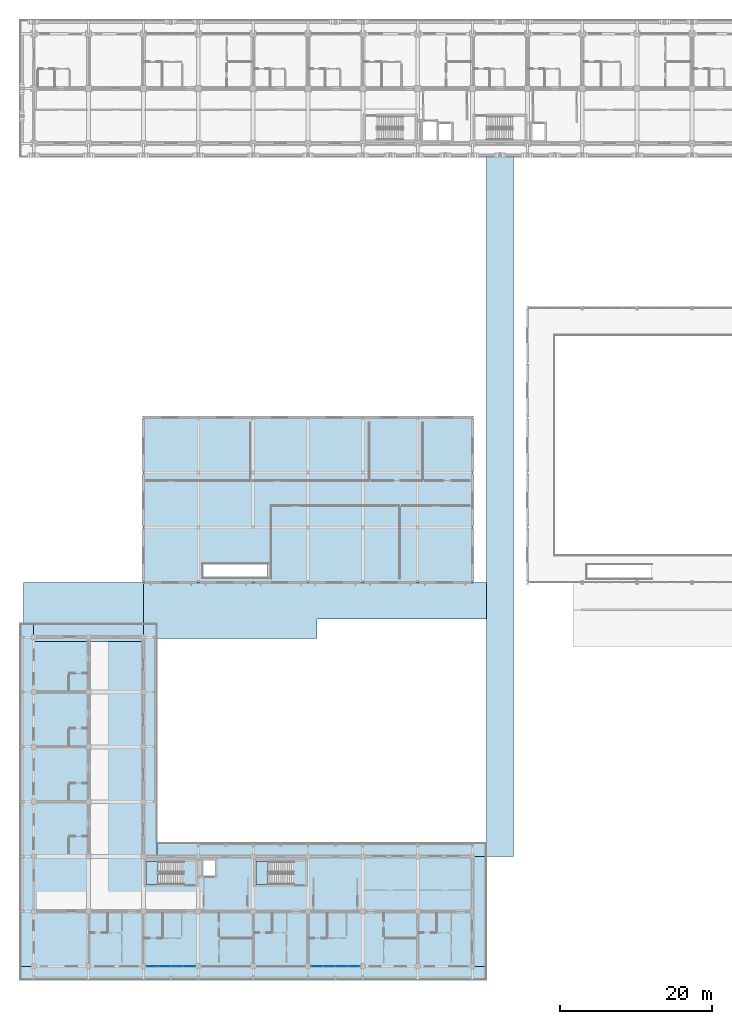
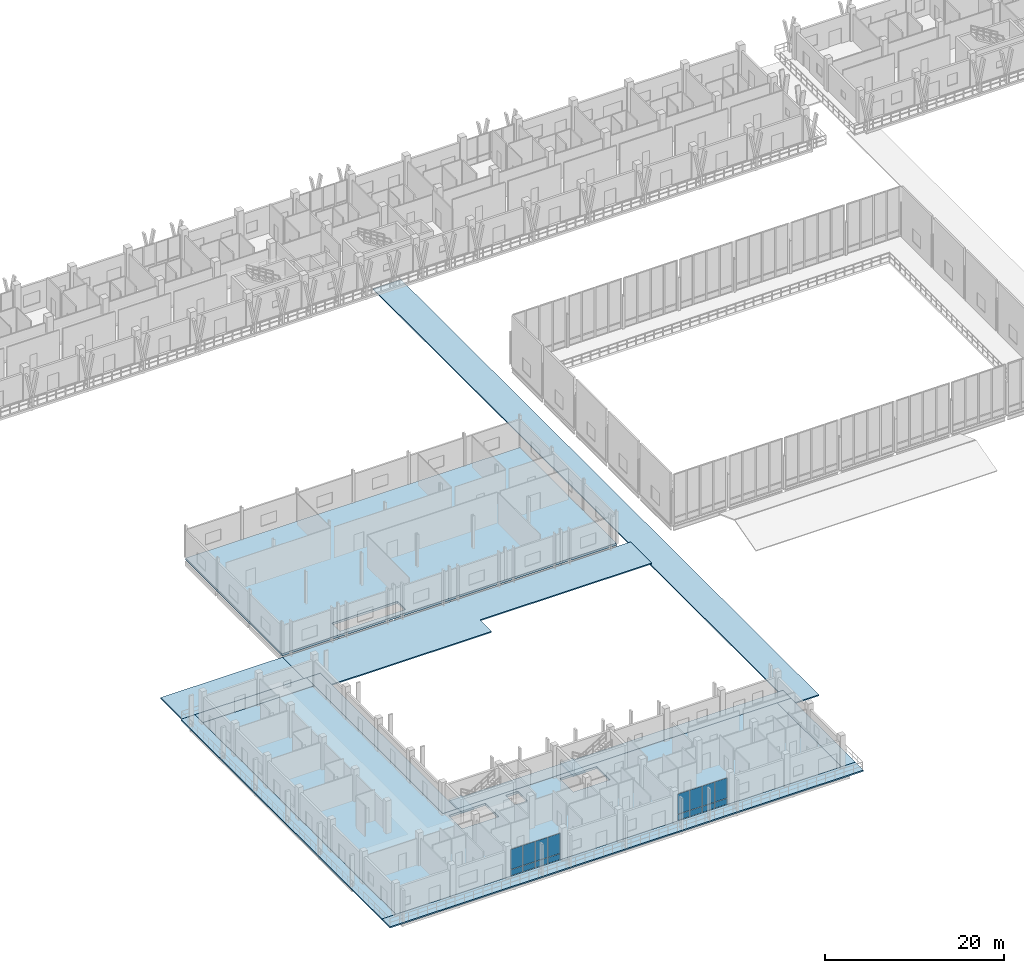
# One storey, part 56 of 110: 16 plates, 13 slabs, 4 elements without a shape of their own.
"""IFC4 building model written with IfcOpenShell, lengths in metres."""

from ifc_helpers import new_model, si_unit, direction, frame, origin, origin_2d, place, context, subcontext, project, spatial, polyline, rectangle, outline, extrude, material, layer, layer_set, type_object, element, aggregate, save


model = new_model("IFC4")

# Units and contexts
model_context = context("Model", 3, precision=1e-05, world=origin(), true_north=direction((0.0, 1.0)))
body_context = subcontext(model_context, "Body", "Model", "MODEL_VIEW")
ifc_project = project(units=[si_unit("LENGTHUNIT", "METRE"), si_unit("AREAUNIT", "SQUARE_METRE"), si_unit("VOLUMEUNIT", "CUBIC_METRE"), si_unit("PLANEANGLEUNIT", "RADIAN"), si_unit("MASSUNIT", "GRAM", prefix="KILO")], contexts=[model_context])

# Site, building, storey
site_placement = place(None, origin())
site = spatial("IfcSite", under=ifc_project, at=site_placement, CompositionType="ELEMENT")
building_placement = place(site_placement, origin())
building = spatial("IfcBuilding", under=site, at=building_placement, Name="Suanplinth Sawtooth Commons", CompositionType="ELEMENT")
storey_placement = place(building_placement, frame((0.0, 0.0, 4.5)))
storey = spatial("IfcBuildingStorey", under=building, at=storey_placement, Name="L01", CompositionType="ELEMENT", Elevation=4.5)

# Curtain wall, plates
ifc_material_1 = material(Name="Anodized aluminium and low-E glazing", Category="aluminium")
curtain_wall_type = type_object("IfcCurtainWallType", Name="CW-06", PredefinedType="USERDEFINED", material=ifc_material_1)
curtain_wall_1_placement = place(storey_placement, origin())
curtain_wall_1 = element("IfcCurtainWall", 1, at=curtain_wall_1_placement, inside=storey, type_object=curtain_wall_type, Name="Curtain Wall CW-L01-D-LOUNGE-2", ObjectType="CURTAIN WALL", PredefinedType="USERDEFINED")
ifc_material_2 = material(Name="Tempered low-E double glazing", Category="glass")
ifc_layer_1 = layer(ifc_material_2, 0.028076171875, Name="Vision low-E insulated glazing unit 28mm")
ifc_layer_set_1 = layer_set([ifc_layer_1], Name="Tempered low-E double glazing")
plate_type = type_object("IfcPlateType", Name="PL-05", PredefinedType="CURTAIN_PANEL", material=ifc_layer_set_1)
plate_1_placement = place(storey_placement, frame((15.578857421875, 0.0, 0.06494140625), z_axis=(0.0, 0.0, 1.0), x_axis=(1.0, 0.0, 0.0)))
plate_1 = element("IfcPlate", 2, at=plate_1_placement, type_object=plate_type, Name="CW-06 panel 1.1", PredefinedType="CURTAIN_PANEL", context=body_context, shape_type="SweptSolid", body=[
    extrude(rectangle(XDim=1.527587890625, YDim=0.028076171875, at=origin_2d()), origin(), (0.0, 0.0, 1.0), 0.802490234375),
])
plate_2_placement = place(storey_placement, frame((15.578857421875, 0.0, 0.9326171875), z_axis=(0.0, 0.0, 1.0), x_axis=(1.0, 0.0, 0.0)))
plate_2 = element("IfcPlate", 3, at=plate_2_placement, type_object=plate_type, Name="CW-06 panel 1.2", PredefinedType="CURTAIN_PANEL", context=body_context, shape_type="SweptSolid", body=[
    extrude(rectangle(XDim=1.527587890625, YDim=0.028076171875, at=origin_2d()), origin(), (0.0, 0.0, 1.0), 2.732421875),
])
plate_3_placement = place(storey_placement, frame((17.1875, 0.0, 0.06494140625), z_axis=(0.0, 0.0, 1.0), x_axis=(1.0, 0.0, 0.0)))
plate_3 = element("IfcPlate", 4, at=plate_3_placement, type_object=plate_type, Name="CW-06 panel 2.1", PredefinedType="CURTAIN_PANEL", context=body_context, shape_type="SweptSolid", body=[
    extrude(rectangle(XDim=1.56005859375, YDim=0.028076171875, at=origin_2d()), origin(), (0.0, 0.0, 1.0), 0.802490234375),
])
plate_4_placement = place(storey_placement, frame((17.1875, 0.0, 0.9326171875), z_axis=(0.0, 0.0, 1.0), x_axis=(1.0, 0.0, 0.0)))
plate_4 = element("IfcPlate", 5, at=plate_4_placement, type_object=plate_type, Name="CW-06 panel 2.2", PredefinedType="CURTAIN_PANEL", context=body_context, shape_type="SweptSolid", body=[
    extrude(rectangle(XDim=1.56005859375, YDim=0.028076171875, at=origin_2d()), origin(), (0.0, 0.0, 1.0), 2.732421875),
])
plate_5_placement = place(storey_placement, frame((18.8125, 0.0, 0.06494140625), z_axis=(0.0, 0.0, 1.0), x_axis=(1.0, 0.0, 0.0)))
plate_5 = element("IfcPlate", 6, at=plate_5_placement, type_object=plate_type, Name="CW-06 panel 3.1", PredefinedType="CURTAIN_PANEL", context=body_context, shape_type="SweptSolid", body=[
    extrude(rectangle(XDim=1.56005859375, YDim=0.028076171875, at=origin_2d()), origin(), (0.0, 0.0, 1.0), 0.802490234375),
])
plate_6_placement = place(storey_placement, frame((18.8125, 0.0, 0.9326171875), z_axis=(0.0, 0.0, 1.0), x_axis=(1.0, 0.0, 0.0)))
plate_6 = element("IfcPlate", 7, at=plate_6_placement, type_object=plate_type, Name="CW-06 panel 3.2", PredefinedType="CURTAIN_PANEL", context=body_context, shape_type="SweptSolid", body=[
    extrude(rectangle(XDim=1.56005859375, YDim=0.028076171875, at=origin_2d()), origin(), (0.0, 0.0, 1.0), 2.732421875),
])
plate_7_placement = place(storey_placement, frame((20.421142578125, 0.0, 0.06494140625), z_axis=(0.0, 0.0, 1.0), x_axis=(1.0, 0.0, 0.0)))
plate_7 = element("IfcPlate", 8, at=plate_7_placement, type_object=plate_type, Name="CW-06 panel 4.1", PredefinedType="CURTAIN_PANEL", context=body_context, shape_type="SweptSolid", body=[
    extrude(rectangle(XDim=1.527587890625, YDim=0.028076171875, at=origin_2d()), origin(), (0.0, 0.0, 1.0), 0.802490234375),
])
plate_8_placement = place(storey_placement, frame((20.421142578125, 0.0, 0.9326171875), z_axis=(0.0, 0.0, 1.0), x_axis=(1.0, 0.0, 0.0)))
plate_8 = element("IfcPlate", 9, at=plate_8_placement, type_object=plate_type, Name="CW-06 panel 4.2", PredefinedType="CURTAIN_PANEL", context=body_context, shape_type="SweptSolid", body=[
    extrude(rectangle(XDim=1.527587890625, YDim=0.028076171875, at=origin_2d()), origin(), (0.0, 0.0, 1.0), 2.732421875),
])
aggregate(curtain_wall_1, [plate_1, plate_2, plate_3, plate_4, plate_5, plate_6, plate_7, plate_8])

curtain_wall_2_placement = place(storey_placement, origin())
curtain_wall_2 = element("IfcCurtainWall", 10, at=curtain_wall_2_placement, inside=storey, type_object=curtain_wall_type, Name="Curtain Wall CW-L01-D-LOUNGE-5", ObjectType="CURTAIN WALL", PredefinedType="USERDEFINED")
plate_9_placement = place(storey_placement, frame((37.1787109375, 0.0, 0.06494140625), z_axis=(0.0, 0.0, 1.0), x_axis=(1.0, 0.0, 0.0)))
plate_9 = element("IfcPlate", 11, at=plate_9_placement, type_object=plate_type, Name="CW-06 panel 1.1", PredefinedType="CURTAIN_PANEL", context=body_context, shape_type="SweptSolid", body=[
    extrude(rectangle(XDim=1.527587890625, YDim=0.028076171875, at=origin_2d()), origin(), (0.0, 0.0, 1.0), 0.802490234375),
])
plate_10_placement = place(storey_placement, frame((37.1787109375, 0.0, 0.9326171875), z_axis=(0.0, 0.0, 1.0), x_axis=(1.0, 0.0, 0.0)))
plate_10 = element("IfcPlate", 12, at=plate_10_placement, type_object=plate_type, Name="CW-06 panel 1.2", PredefinedType="CURTAIN_PANEL", context=body_context, shape_type="SweptSolid", body=[
    extrude(rectangle(XDim=1.527587890625, YDim=0.028076171875, at=origin_2d()), origin(), (0.0, 0.0, 1.0), 2.732421875),
])
plate_11_placement = place(storey_placement, frame((38.78759765625, 0.0, 0.06494140625), z_axis=(0.0, 0.0, 1.0), x_axis=(1.0, 0.0, 0.0)))
plate_11 = element("IfcPlate", 13, at=plate_11_placement, type_object=plate_type, Name="CW-06 panel 2.1", PredefinedType="CURTAIN_PANEL", context=body_context, shape_type="SweptSolid", body=[
    extrude(rectangle(XDim=1.56005859375, YDim=0.028076171875, at=origin_2d()), origin(), (0.0, 0.0, 1.0), 0.802490234375),
])
plate_12_placement = place(storey_placement, frame((38.78759765625, 0.0, 0.9326171875), z_axis=(0.0, 0.0, 1.0), x_axis=(1.0, 0.0, 0.0)))
plate_12 = element("IfcPlate", 14, at=plate_12_placement, type_object=plate_type, Name="CW-06 panel 2.2", PredefinedType="CURTAIN_PANEL", context=body_context, shape_type="SweptSolid", body=[
    extrude(rectangle(XDim=1.56005859375, YDim=0.028076171875, at=origin_2d()), origin(), (0.0, 0.0, 1.0), 2.732421875),
])
plate_13_placement = place(storey_placement, frame((40.41259765625, 0.0, 0.06494140625), z_axis=(0.0, 0.0, 1.0), x_axis=(1.0, 0.0, 0.0)))
plate_13 = element("IfcPlate", 15, at=plate_13_placement, type_object=plate_type, Name="CW-06 panel 3.1", PredefinedType="CURTAIN_PANEL", context=body_context, shape_type="SweptSolid", body=[
    extrude(rectangle(XDim=1.56005859375, YDim=0.028076171875, at=origin_2d()), origin(), (0.0, 0.0, 1.0), 0.802490234375),
])
plate_14_placement = place(storey_placement, frame((40.41259765625, 0.0, 0.9326171875), z_axis=(0.0, 0.0, 1.0), x_axis=(1.0, 0.0, 0.0)))
plate_14 = element("IfcPlate", 16, at=plate_14_placement, type_object=plate_type, Name="CW-06 panel 3.2", PredefinedType="CURTAIN_PANEL", context=body_context, shape_type="SweptSolid", body=[
    extrude(rectangle(XDim=1.56005859375, YDim=0.028076171875, at=origin_2d()), origin(), (0.0, 0.0, 1.0), 2.732421875),
])
plate_15_placement = place(storey_placement, frame((42.021240234375, 0.0, 0.06494140625), z_axis=(0.0, 0.0, 1.0), x_axis=(1.0, 0.0, 0.0)))
plate_15 = element("IfcPlate", 17, at=plate_15_placement, type_object=plate_type, Name="CW-06 panel 4.1", PredefinedType="CURTAIN_PANEL", context=body_context, shape_type="SweptSolid", body=[
    extrude(rectangle(XDim=1.527587890625, YDim=0.028076171875, at=origin_2d()), origin(), (0.0, 0.0, 1.0), 0.802490234375),
])
plate_16_placement = place(storey_placement, frame((42.021240234375, 0.0, 0.9326171875), z_axis=(0.0, 0.0, 1.0), x_axis=(1.0, 0.0, 0.0)))
plate_16 = element("IfcPlate", 18, at=plate_16_placement, type_object=plate_type, Name="CW-06 panel 4.2", PredefinedType="CURTAIN_PANEL", context=body_context, shape_type="SweptSolid", body=[
    extrude(rectangle(XDim=1.527587890625, YDim=0.028076171875, at=origin_2d()), origin(), (0.0, 0.0, 1.0), 2.732421875),
])
aggregate(curtain_wall_2, [plate_9, plate_10, plate_11, plate_12, plate_13, plate_14, plate_15, plate_16])

# Slabs
ifc_material_3 = material(Name="Precast concrete C40/50", Category="concrete")
ifc_layer_2 = layer(ifc_material_3, 0.179931640625, Name="Wrap-around cantilevered precast balcony slab 180mm")
ifc_layer_set_2 = layer_set([ifc_layer_2], Name="Precast concrete C40/50")
slab_type_1 = type_object("IfcSlabType", Name="S-BL01", PredefinedType="FLOOR", material=ifc_layer_set_2)
slab_1_placement = place(storey_placement, frame((0.0, 0.0, -0.179931640625)))
element("IfcSlab", 19, at=slab_1_placement, inside=storey, type_object=slab_type_1, Name="L01 Block D Wrap-Around Balcony S", PredefinedType="FLOOR", context=body_context, shape_type="SweptSolid", body=[
    extrude(outline(polyline([(59.39990234375, 0.0), (59.39990234375, -1.800048828125), (-1.800048828125, -1.800048828125), (-1.800048828125, 0.0), (59.39990234375, 0.0)])), origin(), (0.0, 0.0, 1.0), 0.179931640625),
])
slab_2_placement = place(storey_placement, frame((0.0, 0.0, -0.179931640625)))
element("IfcSlab", 20, at=slab_2_placement, inside=storey, type_object=slab_type_1, Name="L01 Block D Wrap-Around Balcony W", PredefinedType="FLOOR", context=body_context, shape_type="SweptSolid", body=[
    extrude(outline(polyline([(0.0, 0.0), (-1.800048828125, 0.0), (-1.800048828125, 45.0), (0.0, 45.0), (0.0, 0.0)])), origin(), (0.0, 0.0, 1.0), 0.179931640625),
])
slab_3_placement = place(storey_placement, frame((0.0, 0.0, -0.179931640625)))
element("IfcSlab", 21, at=slab_3_placement, inside=storey, type_object=slab_type_1, Name="L01 Block D Wrap-Around Balcony EEND", PredefinedType="FLOOR", context=body_context, shape_type="SweptSolid", body=[
    extrude(outline(polyline([(59.39990234375, 14.39990234375), (59.39990234375, 0.0), (57.60009765625, 0.0), (57.60009765625, 14.39990234375), (59.39990234375, 14.39990234375)])), origin(), (0.0, 0.0, 1.0), 0.179931640625),
])
slab_4_placement = place(storey_placement, frame((0.0, 0.0, -0.179931640625)))
element("IfcSlab", 22, at=slab_4_placement, inside=storey, type_object=slab_type_1, Name="L01 Block D Wrap-Around Balcony NEND", PredefinedType="FLOOR", context=body_context, shape_type="SweptSolid", body=[
    extrude(outline(polyline([(0.0, 45.0), (14.39990234375, 45.0), (14.39990234375, 43.199951171875), (0.0, 43.199951171875), (0.0, 45.0)])), origin(), (0.0, 0.0, 1.0), 0.179931640625),
])
ifc_layer_3 = layer(ifc_material_3, 0.175048828125, Name="Courtyard cantilevered precast balcony slab 175mm")
ifc_layer_set_3 = layer_set([ifc_layer_3], Name="Precast concrete C40/50")
slab_type_2 = type_object("IfcSlabType", Name="S-BL02", PredefinedType="FLOOR", material=ifc_layer_set_3)
slab_5_placement = place(storey_placement, frame((0.0, 0.0, -0.175048828125)))
element("IfcSlab", 23, at=slab_5_placement, inside=storey, type_object=slab_type_2, Name="L01 Block D Wrap-Around Balcony NC", PredefinedType="FLOOR", context=body_context, shape_type="SweptSolid", body=[
    extrude(outline(polyline([(16.199951171875, 16.199951171875), (59.39990234375, 16.199951171875), (59.39990234375, 14.39990234375), (16.199951171875, 14.39990234375), (16.199951171875, 16.199951171875)])), origin(), (0.0, 0.0, 1.0), 0.175048828125),
])
slab_6_placement = place(storey_placement, frame((0.0, 0.0, -0.175048828125)))
element("IfcSlab", 24, at=slab_6_placement, inside=storey, type_object=slab_type_2, Name="L01 Block D Wrap-Around Balcony EC", PredefinedType="FLOOR", context=body_context, shape_type="SweptSolid", body=[
    extrude(outline(polyline([(14.39990234375, 45.0), (16.199951171875, 45.0), (16.199951171875, 14.39990234375), (14.39990234375, 14.39990234375), (14.39990234375, 45.0)])), origin(), (0.0, 0.0, 1.0), 0.175048828125),
])

# Stair, slab
ifc_material_4 = material(Name="Concrete C40/50", Category="concrete")
stair_type = type_object("IfcStairType", Name="ST-06", PredefinedType="USERDEFINED", material=ifc_material_4)
stair_1_placement = place(storey_placement, origin())
stair_1 = element("IfcStair", 25, at=stair_1_placement, inside=storey, type_object=stair_type, Name="L01 Exit Stair ST-W1", ObjectType="TWO_RETURN_STAIR", PredefinedType="USERDEFINED")
ifc_layer_4 = layer(ifc_material_4, 0.199951171875, Name="Reinforced concrete stair and ramp landing slab 200mm")
ifc_layer_set_4 = layer_set([ifc_layer_4], Name="Concrete C40/50")
slab_type_3 = type_object("IfcSlabType", Name="S-LD01", PredefinedType="LANDING", material=ifc_layer_set_4)
slab_7_placement = place(storey_placement, frame((0.0, 0.0, 2.050048828125)))
slab_7 = element("IfcSlab", 26, at=slab_7_placement, type_object=slab_type_3, Name="ST-06 landing 1", PredefinedType="LANDING", context=body_context, shape_type="SweptSolid", body=[
    extrude(outline(polyline([(16.330078125, 13.75), (14.75, 13.75), (14.75, 10.75), (16.330078125, 10.75), (16.330078125, 13.75)])), origin(), (0.0, 0.0, 1.0), 0.199951171875),
])
aggregate(stair_1, [slab_7])

stair_2_placement = place(storey_placement, origin())
stair_2 = element("IfcStair", 27, at=stair_2_placement, inside=storey, type_object=stair_type, Name="L01 Exit Stair ST-W2", ObjectType="TWO_RETURN_STAIR", PredefinedType="USERDEFINED")
slab_8_placement = place(storey_placement, frame((0.0, 0.0, 2.050048828125)))
slab_8 = element("IfcSlab", 28, at=slab_8_placement, type_object=slab_type_3, Name="ST-06 landing 1", PredefinedType="LANDING", context=body_context, shape_type="SweptSolid", body=[
    extrude(outline(polyline([(30.72998046875, 13.75), (29.14990234375, 13.75), (29.14990234375, 10.75), (30.72998046875, 10.75), (30.72998046875, 13.75)])), origin(), (0.0, 0.0, 1.0), 0.199951171875),
])
aggregate(stair_2, [slab_8])

# Slabs
ifc_layer_5 = layer(ifc_material_4, 0.300048828125, Name="Upper civic plinth RC floor slab 300mm")
ifc_layer_set_5 = layer_set([ifc_layer_5], Name="Concrete C40/50")
slab_type_4 = type_object("IfcSlabType", Name="S-PL02", PredefinedType="FLOOR", material=ifc_layer_set_5)
slab_9_placement = place(storey_placement, frame((0.0, 0.0, -0.300048828125)))
element("IfcSlab", 29, at=slab_9_placement, inside=storey, type_object=slab_type_4, Name="L01 Block D Structural Floor Plate", PredefinedType="FLOOR", context=body_context, shape_type="SweptSolid", body=[
    extrude(outline(polyline([(0.0, 0.0), (0.0, 43.199951171875), (14.39990234375, 43.199951171875), (14.39990234375, 14.39990234375), (57.60009765625, 14.39990234375), (57.60009765625, 0.0), (0.0, 0.0)]), holes=[polyline([(14.75, 10.75), (19.510009765625, 10.75), (19.510009765625, 13.75), (14.75, 13.75), (14.75, 10.75)]), polyline([(22.25, 11.85009765625), (23.85009765625, 11.85009765625), (23.85009765625, 13.949951171875), (22.25, 13.949951171875), (22.25, 11.85009765625)]), polyline([(29.14990234375, 10.75), (33.909912109375, 10.75), (33.909912109375, 13.75), (29.14990234375, 13.75), (29.14990234375, 10.75)])]), origin(), (0.0, 0.0, 1.0), 0.300048828125),
])
slab_10_placement = place(storey_placement, frame((0.0, 0.0, -0.300048828125)))
element("IfcSlab", 30, at=slab_10_placement, inside=storey, type_object=slab_type_4, Name="L01 Cooperative Shops and Makerspace Mezzanine Slab", PredefinedType="FLOOR", context=body_context, shape_type="SweptSolid", body=[
    extrude(outline(polyline([(14.39990234375, 50.39990234375), (57.60009765625, 50.39990234375), (57.60009765625, 72.0), (14.39990234375, 72.0), (14.39990234375, 50.39990234375)]), holes=[polyline([(22.199951171875, 51.0), (30.699951171875, 51.0), (30.699951171875, 52.800048828125), (22.199951171875, 52.800048828125), (22.199951171875, 51.0)])]), origin(), (0.0, 0.0, 1.0), 0.300048828125),
])
ifc_material_5 = material(Name="Concrete C35/45", Category="concrete")
ifc_layer_6 = layer(ifc_material_5, 0.159912109375, Name="Market gable & breezeway canopy roof slab 160mm")
ifc_layer_set_6 = layer_set([ifc_layer_6], Name="Concrete C35/45")
slab_type_5 = type_object("IfcSlabType", Name="S-RF03", PredefinedType="ROOF", material=ifc_layer_set_6)
slab_11_placement = place(storey_placement, frame((0.0, 0.0, -0.60009765625)))
element("IfcSlab", 31, at=slab_11_placement, inside=storey, type_object=slab_type_5, Name="West Entry Pavilion Tropical Overhang Canopy", PredefinedType="ROOF", context=body_context, shape_type="SweptSolid", body=[
    extrude(outline(polyline([(-1.35009765625, 42.60009765625), (14.39990234375, 42.60009765625), (14.39990234375, 50.35009765625), (-1.35009765625, 50.35009765625), (-1.35009765625, 42.60009765625)])), origin(), (0.0, 0.0, 1.0), 0.16015625),
])
slab_12_placement = place(storey_placement, frame((0.0, 0.0, -0.60009765625)))
element("IfcSlab", 32, at=slab_12_placement, inside=storey, type_object=slab_type_5, Name="Market Shopfront Shaded Colonnade Canopy", PredefinedType="ROOF", context=body_context, shape_type="SweptSolid", body=[
    extrude(outline(polyline([(14.39990234375, 43.0), (37.199951171875, 43.0), (37.199951171875, 45.60009765625), (59.39990234375, 45.60009765625), (59.39990234375, 50.35009765625), (14.39990234375, 50.35009765625), (14.39990234375, 43.0)])), origin(), (0.0, 0.0, 1.0), 0.16015625),
])
slab_13_placement = place(storey_placement, frame((0.0, 0.0, -0.949951171875)))
element("IfcSlab", 33, at=slab_13_placement, inside=storey, type_object=slab_type_5, Name="West Courtyard Tropical Breezeway Canopy", PredefinedType="ROOF", context=body_context, shape_type="SweptSolid", body=[
    extrude(outline(polyline([(59.39990234375, 14.39990234375), (63.0, 14.39990234375), (63.0, 108.0), (59.39990234375, 108.0), (59.39990234375, 14.39990234375)])), origin(), (0.0, 0.0, 1.0), 0.159912109375),
])

save(model, "model.ifc")
